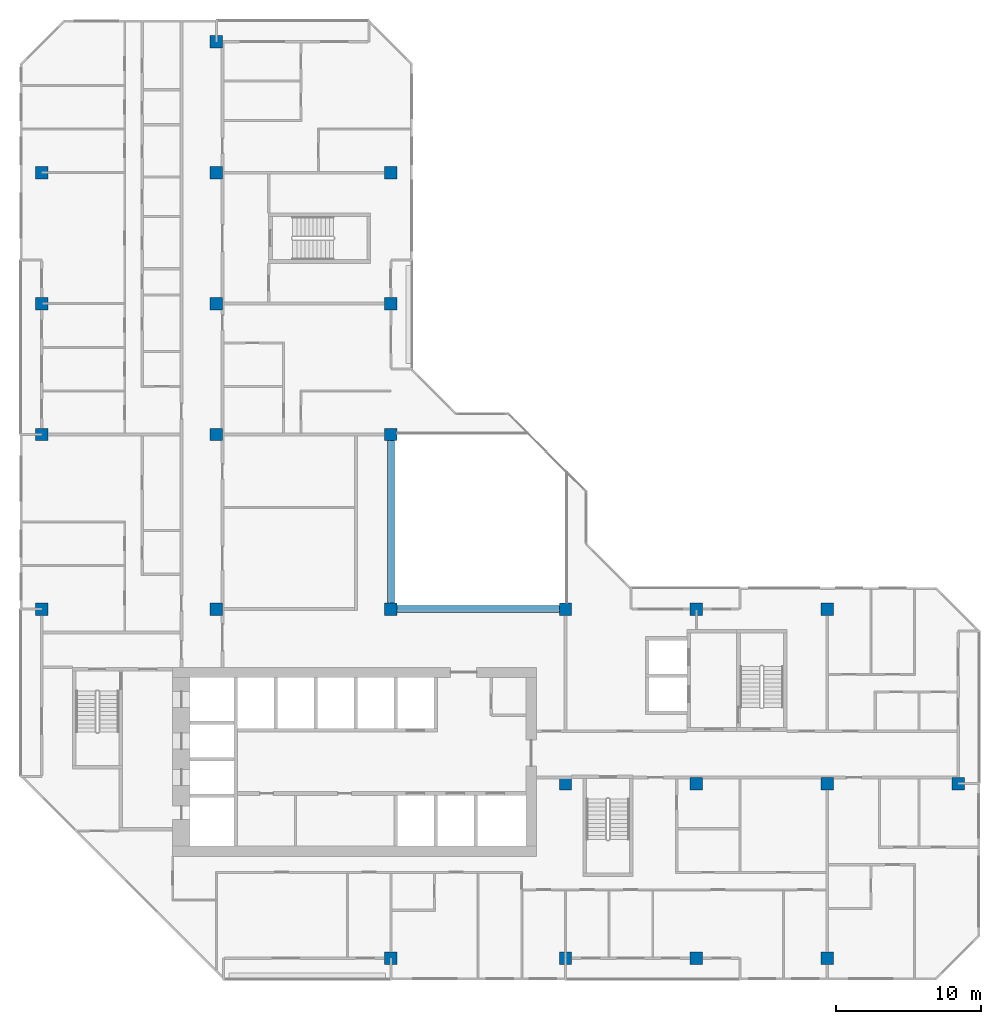
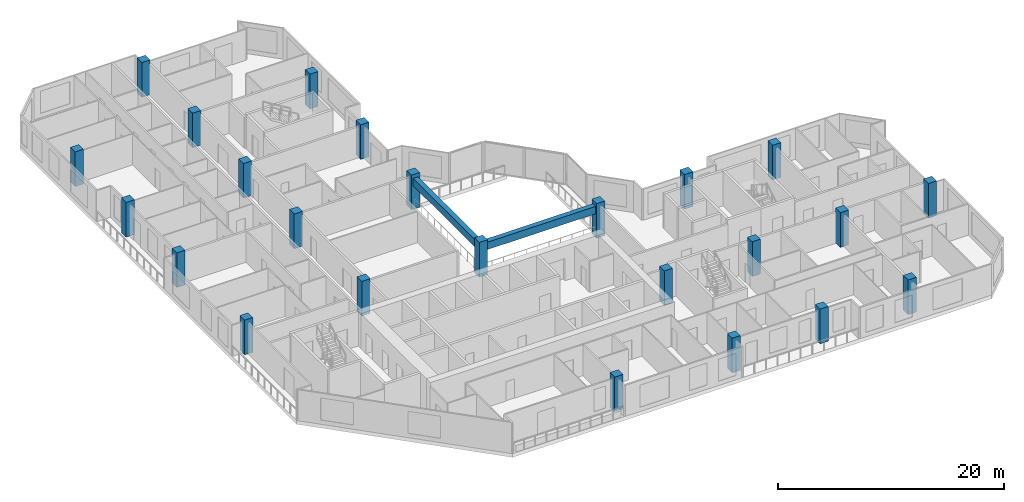
# One storey, part 1 of 14: 24 columns, 2 beams.
"""IFC4 building model written with IfcOpenShell, lengths in metres."""

from ifc_helpers import new_model, si_unit, direction, frame, origin, origin_2d, place, context, subcontext, project, spatial, rectangle, extrude, material, material_profile, profile_set, type_object, element, save


model = new_model("IFC4")

# Units and contexts
model_context = context("Model", 3, precision=1e-05, world=origin(), true_north=direction((0.0, 1.0)))
body_context = subcontext(model_context, "Body", "Model", "MODEL_VIEW")
ifc_project = project(units=[si_unit("LENGTHUNIT", "METRE"), si_unit("AREAUNIT", "SQUARE_METRE"), si_unit("VOLUMEUNIT", "CUBIC_METRE"), si_unit("PLANEANGLEUNIT", "RADIAN"), si_unit("MASSUNIT", "GRAM", prefix="KILO")], contexts=[model_context])

# Site, building, storey
site_placement = place(None, origin())
site = spatial("IfcSite", under=ifc_project, at=site_placement, CompositionType="ELEMENT")
building_placement = place(site_placement, origin())
building = spatial("IfcBuilding", under=site, at=building_placement, Name="Chenar Terraces", CompositionType="ELEMENT")
storey_placement = place(building_placement, frame((0.0, 0.0, 230.39990234375)))
storey = spatial("IfcBuildingStorey", under=building, at=storey_placement, Name="L54", CompositionType="ELEMENT", Elevation=230.39990234375)

# Columns
ifc_material_1 = material(Name="Concrete C60/75", Category="concrete")
ifc_material_profile_1 = material_profile(ifc_material_1, rectangle(XDim=0.85009765625, YDim=0.85009765625, at=origin_2d()), Name="C 850 x 850")
ifc_profile_set_1 = profile_set([ifc_material_profile_1], Name="Concrete C60/75")
column_type = type_object("IfcColumnType", Name="Column C 850 x 850 Concrete C60/75", PredefinedType="COLUMN", material=ifc_profile_set_1)
column_1_placement = place(storey_placement, frame((0.0, 24.0, 0.0), z_axis=(0.0, 0.0, 1.0), x_axis=(1.0, 0.0, 0.0)))
element("IfcColumn", 1, at=column_1_placement, inside=storey, type_object=column_type, Name="Column 5/G L54", PredefinedType="COLUMN", context=body_context, shape_type="SweptSolid", body=[
    extrude(rectangle(XDim=0.85009765625, YDim=0.85009765625, at=origin_2d()), origin(), (0.0, 0.0, 1.0), 3.75),
])
column_2_placement = place(storey_placement, frame((0.0, 36.0, 0.0), z_axis=(0.0, 0.0, 1.0), x_axis=(1.0, 0.0, 0.0)))
element("IfcColumn", 2, at=column_2_placement, inside=storey, type_object=column_type, Name="Column 5/H L54", PredefinedType="COLUMN", context=body_context, shape_type="SweptSolid", body=[
    extrude(rectangle(XDim=0.85009765625, YDim=0.85009765625, at=origin_2d()), origin(), (0.0, 0.0, 1.0), 3.75),
])
column_3_placement = place(storey_placement, frame((0.0, 45.0, 0.0), z_axis=(0.0, 0.0, 1.0), x_axis=(1.0, 0.0, 0.0)))
element("IfcColumn", 3, at=column_3_placement, inside=storey, type_object=column_type, Name="Column 5/J L54", PredefinedType="COLUMN", context=body_context, shape_type="SweptSolid", body=[
    extrude(rectangle(XDim=0.85009765625, YDim=0.85009765625, at=origin_2d()), origin(), (0.0, 0.0, 1.0), 3.75),
])
column_4_placement = place(storey_placement, frame((0.0, 54.0, 0.0), z_axis=(0.0, 0.0, 1.0), x_axis=(1.0, 0.0, 0.0)))
element("IfcColumn", 4, at=column_4_placement, inside=storey, type_object=column_type, Name="Column 5/K L54", PredefinedType="COLUMN", context=body_context, shape_type="SweptSolid", body=[
    extrude(rectangle(XDim=0.85009765625, YDim=0.85009765625, at=origin_2d()), origin(), (0.0, 0.0, 1.0), 3.75),
])
for number, where, z_axis, x_axis, name in (
    (5, (12.0, 24.0, 0.0), (0.0, 0.0, 1.0), (1.0, 0.0, 0.0), "Column 6/G L54"),
    (6, (12.0, 36.0, 0.0), (0.0, 0.0, 1.0), (1.0, 0.0, 0.0), "Column 6/H L54"),
    (7, (12.0, 45.0, 0.0), (0.0, 0.0, 1.0), (1.0, 0.0, 0.0), "Column 6/J L54"),
    (8, (12.0, 54.0, 0.0), (0.0, 0.0, 1.0), (1.0, 0.0, 0.0), "Column 6/K L54"),
    (9, (12.0, 63.0, 0.0), (0.0, 0.0, 1.0), (1.0, 0.0, 0.0), "Column 6/L L54"),
    (10, (24.0, 0.0, 0.0), (0.0, 0.0, 1.0), (1.0, 0.0, 0.0), "Column 7/E L54"),
    (11, (24.0, 24.0, 0.0), (0.0, 0.0, 1.0), (1.0, 0.0, 0.0), "Column 7/G L54"),
    (12, (24.0, 36.0, 0.0), (0.0, 0.0, 1.0), (1.0, 0.0, 0.0), "Column 7/H L54"),
    (13, (24.0, 45.0, 0.0), (0.0, 0.0, 1.0), (1.0, 0.0, 0.0), "Column 7/J L54"),
    (14, (24.0, 54.0, 0.0), (0.0, 0.0, 1.0), (1.0, 0.0, 0.0), "Column 7/K L54"),
    (15, (36.0, 0.0, 0.0), (0.0, 0.0, 1.0), (1.0, 0.0, 0.0), "Column 8/E L54"),
    (16, (36.0, 12.0, 0.0), (0.0, 0.0, 1.0), (1.0, 0.0, 0.0), "Column 8/F L54"),
    (17, (36.0, 24.0, 0.0), (0.0, 0.0, 1.0), (1.0, 0.0, 0.0), "Column 8/G L54"),
    (18, (45.0, 0.0, 0.0), (0.0, 0.0, 1.0), (1.0, 0.0, 0.0), "Column 9/E L54"),
    (19, (45.0, 12.0, 0.0), (0.0, 0.0, 1.0), (1.0, 0.0, 0.0), "Column 9/F L54"),
    (20, (45.0, 24.0, 0.0), (0.0, 0.0, 1.0), (1.0, 0.0, 0.0), "Column 9/G L54"),
    (21, (54.0, 0.0, 0.0), (0.0, 0.0, 1.0), (1.0, 0.0, 0.0), "Column 10/E L54"),
    (22, (54.0, 12.0, 0.0), (0.0, 0.0, 1.0), (1.0, 0.0, 0.0), "Column 10/F L54"),
    (23, (54.0, 24.0, 0.0), (0.0, 0.0, 1.0), (1.0, 0.0, 0.0), "Column 10/G L54"),
    (24, (63.0, 12.0, 0.0), (0.0, 0.0, 1.0), (1.0, 0.0, 0.0), "Column 11/F L54"),
):
    element("IfcColumn", number, at=place(storey_placement, frame(where, z_axis=z_axis, x_axis=x_axis)), inside=storey, type_object=column_type, Name=name, PredefinedType="COLUMN", context=body_context, shape_type="SweptSolid", body=[
        extrude(rectangle(XDim=0.85009765625, YDim=0.85009765625, at=origin_2d()), origin(), (0.0, 0.0, 1.0), 3.75),
    ])

# Beams
ifc_material_2 = material(Name="Concrete C40/50", Category="concrete")
ifc_material_profile_2 = material_profile(ifc_material_2, rectangle(XDim=0.5, YDim=0.800048828125, at=origin_2d()), Name="RC 500 x 800")
ifc_profile_set_2 = profile_set([ifc_material_profile_2], Name="Concrete C40/50")
beam_type = type_object("IfcBeamType", Name="Atrium edge beam 500 x 800 Concrete C40/50", PredefinedType="BEAM", material=ifc_profile_set_2)
for number, where, z_axis, x_axis, name in (
    (25, (24.425048828125, 24.0, 2.9501953125), (1.0, 0.0, 0.0), (0.0, 1.0, 0.0), "Atrium edge beam L55 1"),
    (26, (24.0, 35.574951171875, 2.9501953125), (0.0, -1.0, 0.0), (1.0, 0.0, 0.0), "Atrium edge beam L55 4"),
):
    element("IfcBeam", number, at=place(storey_placement, frame(where, z_axis=z_axis, x_axis=x_axis)), inside=storey, type_object=beam_type, Name=name, PredefinedType="BEAM", context=body_context, shape_type="SweptSolid", body=[
        extrude(rectangle(XDim=0.5, YDim=0.800048828125, at=origin_2d()), origin(), (0.0, 0.0, 1.0), 11.14990234375),
    ])

save(model, "model.ifc")
